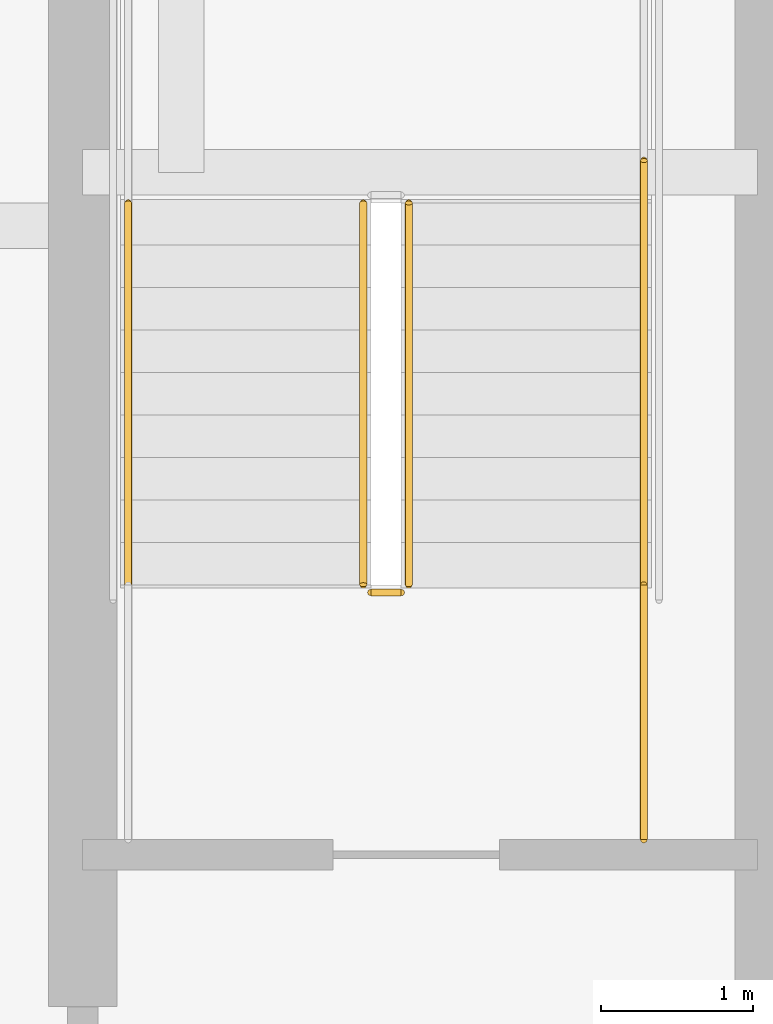
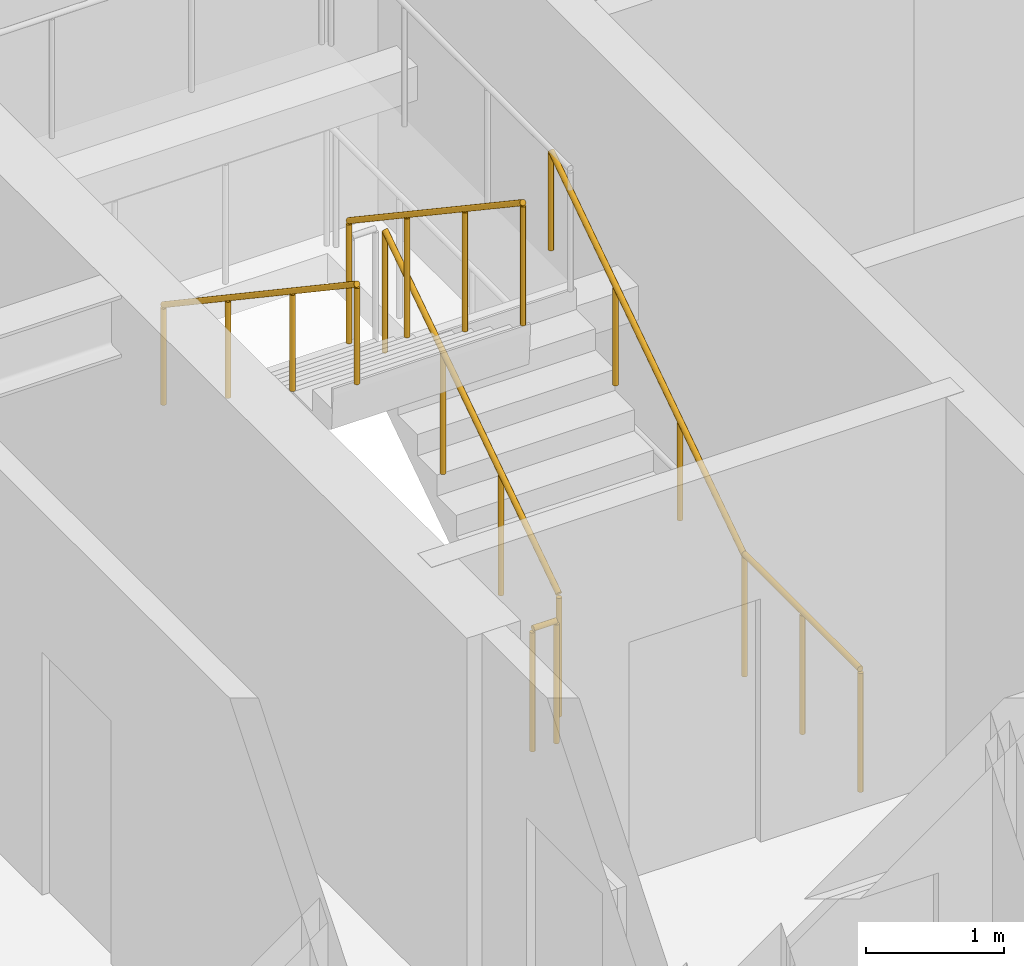
# One storey, part 35 of 40: 6 railings.
"""IFC4 building model written with IfcOpenShell, lengths in metres."""

from ifc_helpers import new_model, si_unit, direction, frame, origin, origin_2d, place, context, subcontext, project, spatial, circle, extrude, material, type_object, element, save


model = new_model("IFC4")

# Units and contexts
model_context = context("Model", 3, precision=1e-05, world=origin(), true_north=direction((0.0, 1.0)))
body_context = subcontext(model_context, "Body", "Model", "MODEL_VIEW")
ifc_project = project(units=[si_unit("LENGTHUNIT", "METRE"), si_unit("AREAUNIT", "SQUARE_METRE"), si_unit("VOLUMEUNIT", "CUBIC_METRE"), si_unit("PLANEANGLEUNIT", "RADIAN"), si_unit("MASSUNIT", "GRAM", prefix="KILO")], contexts=[model_context])

# Site, building, storey
site_placement = place(None, origin())
site = spatial("IfcSite", under=ifc_project, at=site_placement, CompositionType="ELEMENT")
building_placement = place(site_placement, origin())
building = spatial("IfcBuilding", under=site, at=building_placement, Name="Serunith Strait Residences", CompositionType="ELEMENT")
storey_placement = place(building_placement, frame((0.0, 0.0, 105.449951171875)))
storey = spatial("IfcBuildingStorey", under=building, at=storey_placement, Name="L26", CompositionType="ELEMENT", Elevation=105.449951171875)

# Railings
ifc_material = material(Name="Brushed stainless steel 316L", Category="steel")
railing_type_1 = type_object("IfcRailingType", Name="RLG-STAIR-GUARD", PredefinedType="BALUSTRADE", material=ifc_material)
railing_1_placement = place(storey_placement, frame((25.550048828125, 27.030029296875, 0.1875)))
element("IfcRailing", 1, at=railing_1_placement, inside=storey, type_object=railing_type_1, Name="L26 ST-1 stair guard 1", PredefinedType="BALUSTRADE", context=body_context, shape_type="SweptSolid", body=[
    extrude(circle(Radius=0.02392578125, at=origin_2d()), frame((0.0, 0.001708984375, 1.0771484375), z_axis=(0.0, 0.830909170722, 0.55640807867), x_axis=(-1.0, 0.0, 0.0)), (0.0, 0.0, 1.0), 3.02880859375),
    extrude(circle(Radius=0.02099609375, at=origin_2d()), origin(), (0.0, 0.0, 1.0), 1.050048828125),
    extrude(circle(Radius=0.02099609375, at=origin_2d()), frame((0.0, 0.840087890625, 0.5625)), (0.0, 0.0, 1.0), 1.050048828125),
    extrude(circle(Radius=0.02099609375, at=origin_2d()), frame((0.0, 1.679931640625, 1.125)), (0.0, 0.0, 1.0), 1.050048828125),
    extrude(circle(Radius=0.02099609375, at=origin_2d()), frame((0.0, 2.52001953125, 1.6875)), (0.0, 0.0, 1.0), 1.050048828125),
])
railing_2_placement = place(storey_placement, frame((25.25, 29.550048828125, 2.0625)))
element("IfcRailing", 2, at=railing_2_placement, inside=storey, type_object=railing_type_1, Name="L26 ST-1 stair guard 6", PredefinedType="BALUSTRADE", context=body_context, shape_type="SweptSolid", body=[
    extrude(circle(Radius=0.02392578125, at=origin_2d()), frame((0.0, -0.001708984375, 1.0771484375), z_axis=(0.0, -0.830909170722, 0.55640807867), x_axis=(1.0, 0.0, 0.0)), (0.0, 0.0, 1.0), 3.02880859375),
    extrude(circle(Radius=0.02099609375, at=origin_2d()), origin(), (0.0, 0.0, 1.0), 1.050048828125),
    extrude(circle(Radius=0.02099609375, at=origin_2d()), frame((0.0, -0.840087890625, 0.5625)), (0.0, 0.0, 1.0), 1.050048828125),
    extrude(circle(Radius=0.02099609375, at=origin_2d()), frame((0.0, -1.679931640625, 1.125)), (0.0, 0.0, 1.0), 1.050048828125),
    extrude(circle(Radius=0.02099609375, at=origin_2d()), frame((0.0, -2.52001953125, 1.6875)), (0.0, 0.0, 1.0), 1.050048828125),
])
railing_3_placement = place(storey_placement, frame((25.5, 26.97998046875, 0.0)))
element("IfcRailing", 3, at=railing_3_placement, inside=storey, type_object=railing_type_1, Name="L26 ST-1 stair guard 7", PredefinedType="BALUSTRADE", context=body_context, shape_type="SweptSolid", body=[
    extrude(circle(Radius=0.02392578125, at=origin_2d()), frame((-0.001953125, 0.0, 1.076171875), z_axis=(-1.0, 0.0, 0.0), x_axis=(0.0, -1.0, 0.0)), (0.0, 0.0, 1.0), 0.196044921875),
    extrude(circle(Radius=0.02099609375, at=origin_2d()), origin(), (0.0, 0.0, 1.0), 1.050048828125),
    extrude(circle(Radius=0.02099609375, at=origin_2d()), frame((-0.199951171875, 0.0, 0.0)), (0.0, 0.0, 1.0), 1.050048828125),
])
railing_4_placement = place(storey_placement, frame((27.10009765625, 25.35009765625, 0.0)))
element("IfcRailing", 4, at=railing_4_placement, inside=storey, type_object=railing_type_1, Name="L26 ST-1 stair guard 8", PredefinedType="BALUSTRADE", context=body_context, shape_type="SweptSolid", body=[
    extrude(circle(Radius=0.02392578125, at=origin_2d()), frame((0.0, 0.001953125, 1.076171875), z_axis=(0.0, 1.0, 0.0), x_axis=(-1.0, 0.0, 0.0)), (0.0, 0.0, 1.0), 1.676025390625),
    extrude(circle(Radius=0.02099609375, at=origin_2d()), origin(), (0.0, 0.0, 1.0), 1.050048828125),
    extrude(circle(Radius=0.02099609375, at=origin_2d()), frame((0.0, 0.83984375, 0.0)), (0.0, 0.0, 1.0), 1.050048828125),
    extrude(circle(Radius=0.02099609375, at=origin_2d()), frame((0.0, 1.679931640625, 0.0)), (0.0, 0.0, 1.0), 1.050048828125),
])
railing_type_2 = type_object("IfcRailingType", Name="RLG-STAIR-HR", PredefinedType="HANDRAIL", material=ifc_material)
railing_5_placement = place(storey_placement, frame((27.10009765625, 27.030029296875, 0.1875)))
element("IfcRailing", 5, at=railing_5_placement, inside=storey, type_object=railing_type_2, Name="L26 ST-1 stair handrail 1", PredefinedType="HANDRAIL", context=body_context, shape_type="SweptSolid", body=[
    extrude(circle(Radius=0.02392578125, at=origin_2d()), frame((0.0, 0.001708984375, 0.876953125), z_axis=(0.0, 0.830208209119, 0.557453432594), x_axis=(-1.0, 0.0, 0.0)), (0.0, 0.0, 1.0), 3.36865234375),
    extrude(circle(Radius=0.02099609375, at=origin_2d()), origin(), (0.0, 0.0, 1.0), 0.849853515625),
    extrude(circle(Radius=0.02099609375, at=origin_2d()), frame((0.0, 0.933349609375, 0.626708984375)), (0.0, 0.0, 1.0), 0.849853515625),
    extrude(circle(Radius=0.02099609375, at=origin_2d()), frame((0.0, 1.86669921875, 1.25341796875)), (0.0, 0.0, 1.0), 0.849853515625),
    extrude(circle(Radius=0.02099609375, at=origin_2d()), frame((0.0, 2.800048828125, 1.880126953125)), (0.0, 0.0, 1.0), 0.849853515625),
])
railing_6_placement = place(storey_placement, frame((23.699951171875, 29.550048828125, 2.0625)))
element("IfcRailing", 6, at=railing_6_placement, inside=storey, type_object=railing_type_2, Name="L26 ST-1 stair handrail 2", PredefinedType="HANDRAIL", context=body_context, shape_type="SweptSolid", body=[
    extrude(circle(Radius=0.02392578125, at=origin_2d()), frame((0.0, -0.001708984375, 0.876953125), z_axis=(0.0, -0.830208209119, 0.557453432594), x_axis=(1.0, 0.0, 0.0)), (0.0, 0.0, 1.0), 3.36865234375),
    extrude(circle(Radius=0.02099609375, at=origin_2d()), origin(), (0.0, 0.0, 1.0), 0.849853515625),
    extrude(circle(Radius=0.02099609375, at=origin_2d()), frame((0.0, -0.933349609375, 0.626708984375)), (0.0, 0.0, 1.0), 0.849853515625),
    extrude(circle(Radius=0.02099609375, at=origin_2d()), frame((0.0, -1.86669921875, 1.25341796875)), (0.0, 0.0, 1.0), 0.849853515625),
    extrude(circle(Radius=0.02099609375, at=origin_2d()), frame((0.0, -2.800048828125, 1.880126953125)), (0.0, 0.0, 1.0), 0.849853515625),
])

save(model, "model.ifc")
